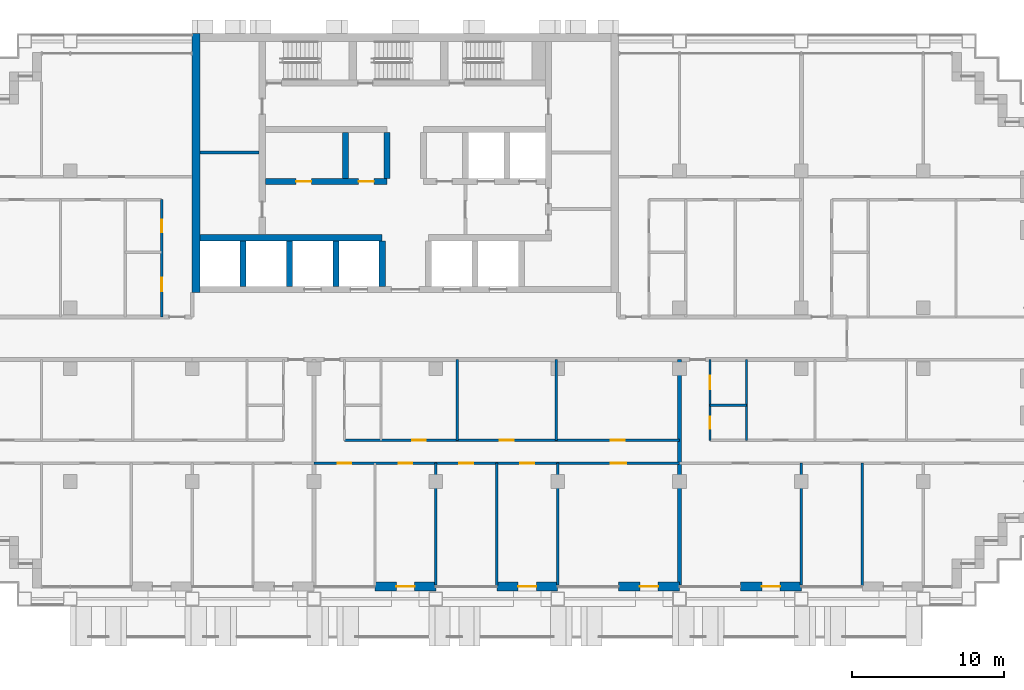
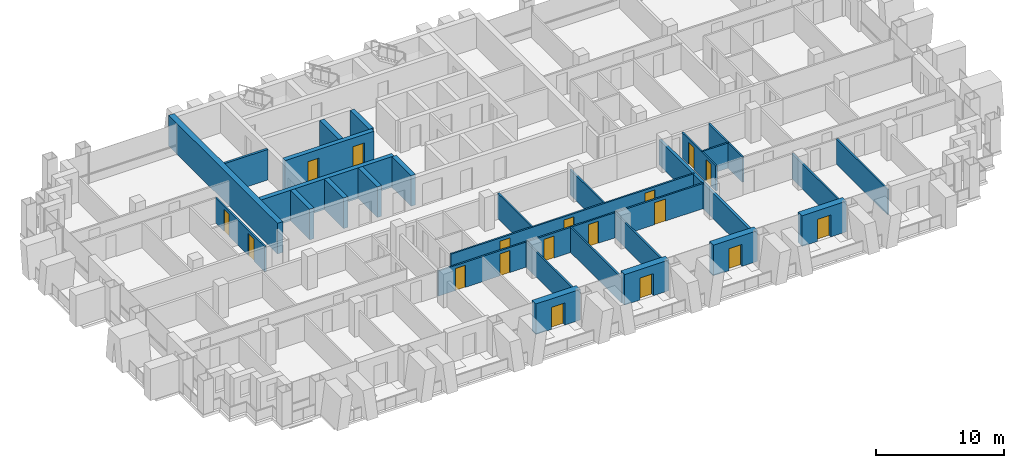
# One storey, part 10 of 19: 28 walls, 18 doors, 18 openings.
"""IFC4 building model written with IfcOpenShell, lengths in metres."""

from ifc_helpers import new_model, si_unit, direction, frame, frame_2d, origin, place, context, subcontext, project, spatial, rectangle, extrude, material, layer, layer_set, type_object, element, fill, save


model = new_model("IFC4")

# Units and contexts
model_context = context("Model", 3, precision=1e-05, world=origin(), true_north=direction((0.0, 1.0)))
body_context = subcontext(model_context, "Body", "Model", "MODEL_VIEW")
ifc_project = project(units=[si_unit("LENGTHUNIT", "METRE"), si_unit("AREAUNIT", "SQUARE_METRE"), si_unit("VOLUMEUNIT", "CUBIC_METRE"), si_unit("PLANEANGLEUNIT", "RADIAN"), si_unit("MASSUNIT", "GRAM", prefix="KILO")], contexts=[model_context])

# Site, building, storey
site_placement = place(None, origin())
site = spatial("IfcSite", under=ifc_project, at=site_placement, CompositionType="ELEMENT")
building_placement = place(site_placement, origin())
building = spatial("IfcBuilding", under=site, at=building_placement, Name="Vidyagriha Tower", CompositionType="ELEMENT")
storey_placement = place(building_placement, frame((0.0, 0.0, 99.89990234375)))
storey = spatial("IfcBuildingStorey", under=building, at=storey_placement, Name="L26", CompositionType="ELEMENT", Elevation=99.89990234375)

# Wall, opening, door
ifc_material_1 = material(Name="Precast concrete C40/50 with brick facing", Category="concrete")
ifc_layer_1 = layer(ifc_material_1, 0.60009765625)
ifc_layer_set_1 = layer_set([ifc_layer_1], Name="Precast concrete C40/50 with brick facing")
wall_type_1 = type_object("IfcWallType", Name="Brick-faced precast wall 600", PredefinedType="STANDARD", material=ifc_layer_set_1)
wall_1_placement = place(storey_placement, frame((-2.0, -16.300048828125, 0.0)))
wall_1 = element("IfcWall", 1, at=wall_1_placement, inside=storey, type_object=wall_type_1, Name="Brick door bay wall L26 R23.7", PredefinedType="STANDARD", context=body_context, shape_type="SweptSolid", body=[
    extrude(rectangle(XDim=4.0, YDim=0.60009765625, at=frame_2d((2.0, 0.0))), origin(), (0.0, 0.0, 1.0), 2.920166015625),
])
opening_1_placement = place(wall_1_placement, frame((1.39990234375, 0.0, 0.0)))
opening_1 = element("IfcOpeningElement", 2, at=opening_1_placement, cuts=wall_1, Name="Opening D26-72", PredefinedType="OPENING", context=body_context, shape_type="SweptSolid", body=[
    extrude(rectangle(XDim=1.199951171875, YDim=2.10009765625, at=frame_2d((0.60009765625, 1.050048828125))), frame((0.0, 0.31005859375, 0.0), z_axis=(0.0, -1.0, 0.0), x_axis=(1.0, 0.0, 0.0)), (0.0, 0.0, 1.0), 0.6201171875),
])
ifc_material_2 = material(Name="Aluminium framed glazed sliding door", Category="aluminium")
door_type_1 = type_object("IfcDoorType", Name="Balcony sliding door 1200x2100", OperationType="NOTDEFINED", PredefinedType="DOOR", material=ifc_material_2)
door_1_placement = place(opening_1_placement, origin())
door_1 = element("IfcDoor", 3, at=door_1_placement, inside=storey, type_object=door_type_1, Name="Door D26-72", OperationType="SLIDING_TO_LEFT", OverallHeight=2.10009765625, OverallWidth=1.199951171875, PredefinedType="DOOR", context=body_context, shape_type="SweptSolid", body=[
    extrude(rectangle(XDim=1.199951171875, YDim=2.10009765625, at=frame_2d((0.60009765625, 1.050048828125))), frame((0.0, 0.02490234375, 0.0), z_axis=(0.0, -1.0, 0.0), x_axis=(1.0, 0.0, 0.0)), (0.0, 0.0, 1.0), 0.050048828125),
])
fill(opening_1, door_1)

wall_2_placement = place(storey_placement, frame((6.0, -16.300048828125, 0.0)))
wall_2 = element("IfcWall", 4, at=wall_2_placement, inside=storey, type_object=wall_type_1, Name="Brick door bay wall L26 R23.9", PredefinedType="STANDARD", context=body_context, shape_type="SweptSolid", body=[
    extrude(rectangle(XDim=4.0, YDim=0.60009765625, at=frame_2d((2.0, 0.0))), origin(), (0.0, 0.0, 1.0), 2.920166015625),
])
opening_2_placement = place(wall_2_placement, frame((1.39990234375, 0.0, 0.0)))
opening_2 = element("IfcOpeningElement", 5, at=opening_2_placement, cuts=wall_2, Name="Opening D26-73", PredefinedType="OPENING", context=body_context, shape_type="SweptSolid", body=[
    extrude(rectangle(XDim=1.199951171875, YDim=2.10009765625, at=frame_2d((0.60009765625, 1.050048828125))), frame((0.0, 0.31005859375, 0.0), z_axis=(0.0, -1.0, 0.0), x_axis=(1.0, 0.0, 0.0)), (0.0, 0.0, 1.0), 0.6201171875),
])
door_2_placement = place(opening_2_placement, origin())
door_2 = element("IfcDoor", 6, at=door_2_placement, inside=storey, type_object=door_type_1, Name="Door D26-73", OperationType="SLIDING_TO_LEFT", OverallHeight=2.10009765625, OverallWidth=1.199951171875, PredefinedType="DOOR", context=body_context, shape_type="SweptSolid", body=[
    extrude(rectangle(XDim=1.199951171875, YDim=2.10009765625, at=frame_2d((0.60009765625, 1.050048828125))), frame((0.0, 0.02490234375, 0.0), z_axis=(0.0, -1.0, 0.0), x_axis=(1.0, 0.0, 0.0)), (0.0, 0.0, 1.0), 0.050048828125),
])
fill(opening_2, door_2)

wall_3_placement = place(storey_placement, frame((14.0, -16.300048828125, 0.0)))
wall_3 = element("IfcWall", 7, at=wall_3_placement, inside=storey, type_object=wall_type_1, Name="Brick door bay wall L26 R23.11", PredefinedType="STANDARD", context=body_context, shape_type="SweptSolid", body=[
    extrude(rectangle(XDim=4.0, YDim=0.60009765625, at=frame_2d((2.0, 0.0))), origin(), (0.0, 0.0, 1.0), 2.920166015625),
])
opening_3_placement = place(wall_3_placement, frame((1.39990234375, 0.0, 0.0)))
opening_3 = element("IfcOpeningElement", 8, at=opening_3_placement, cuts=wall_3, Name="Opening D26-74", PredefinedType="OPENING", context=body_context, shape_type="SweptSolid", body=[
    extrude(rectangle(XDim=1.199951171875, YDim=2.10009765625, at=frame_2d((0.60009765625, 1.050048828125))), frame((0.0, 0.31005859375, 0.0), z_axis=(0.0, -1.0, 0.0), x_axis=(1.0, 0.0, 0.0)), (0.0, 0.0, 1.0), 0.6201171875),
])
door_3_placement = place(opening_3_placement, origin())
door_3 = element("IfcDoor", 9, at=door_3_placement, inside=storey, type_object=door_type_1, Name="Door D26-74", OperationType="SLIDING_TO_LEFT", OverallHeight=2.10009765625, OverallWidth=1.199951171875, PredefinedType="DOOR", context=body_context, shape_type="SweptSolid", body=[
    extrude(rectangle(XDim=1.199951171875, YDim=2.10009765625, at=frame_2d((0.60009765625, 1.050048828125))), frame((0.0, 0.02490234375, 0.0), z_axis=(0.0, -1.0, 0.0), x_axis=(1.0, 0.0, 0.0)), (0.0, 0.0, 1.0), 0.050048828125),
])
fill(opening_3, door_3)

wall_4_placement = place(storey_placement, frame((22.0, -16.300048828125, 0.0)))
wall_4 = element("IfcWall", 10, at=wall_4_placement, inside=storey, type_object=wall_type_1, Name="Brick door bay wall L26 R23.13", PredefinedType="STANDARD", context=body_context, shape_type="SweptSolid", body=[
    extrude(rectangle(XDim=4.0, YDim=0.60009765625, at=frame_2d((2.0, 0.0))), origin(), (0.0, 0.0, 1.0), 2.920166015625),
])
opening_4_placement = place(wall_4_placement, frame((1.39990234375, 0.0, 0.0)))
opening_4 = element("IfcOpeningElement", 11, at=opening_4_placement, cuts=wall_4, Name="Opening D26-75", PredefinedType="OPENING", context=body_context, shape_type="SweptSolid", body=[
    extrude(rectangle(XDim=1.199951171875, YDim=2.10009765625, at=frame_2d((0.60009765625, 1.050048828125))), frame((0.0, 0.31005859375, 0.0), z_axis=(0.0, -1.0, 0.0), x_axis=(1.0, 0.0, 0.0)), (0.0, 0.0, 1.0), 0.6201171875),
])
door_4_placement = place(opening_4_placement, origin())
door_4 = element("IfcDoor", 12, at=door_4_placement, inside=storey, type_object=door_type_1, Name="Door D26-75", OperationType="SLIDING_TO_LEFT", OverallHeight=2.10009765625, OverallWidth=1.199951171875, PredefinedType="DOOR", context=body_context, shape_type="SweptSolid", body=[
    extrude(rectangle(XDim=1.199951171875, YDim=2.10009765625, at=frame_2d((0.60009765625, 1.050048828125))), frame((0.0, 0.02490234375, 0.0), z_axis=(0.0, -1.0, 0.0), x_axis=(1.0, 0.0, 0.0)), (0.0, 0.0, 1.0), 0.050048828125),
])
fill(opening_4, door_4)

# Walls
ifc_material_3 = material(Name="Concrete C60/75", Category="concrete")
ifc_layer_2 = layer(ifc_material_3, 0.39990234375)
ifc_layer_set_2 = layer_set([ifc_layer_2], Name="Concrete C60/75")
wall_type_2 = type_object("IfcWallType", Name="Core shear wall 400 mm", PredefinedType="SHEAR", material=ifc_layer_set_2)
wall_5_placement = place(storey_placement, frame((-13.5, 6.60009765625, 0.0)))
element("IfcWall", 13, at=wall_5_placement, inside=storey, type_object=wall_type_2, Name="Core lobby south wall west", PredefinedType="SHEAR", context=body_context, shape_type="SweptSolid", body=[
    extrude(rectangle(XDim=11.977783203125, YDim=0.39990234375, at=frame_2d((5.98876953125, 0.0))), origin(), (0.0, 0.0, 1.0), 2.920166015625),
])
for number, where, z_axis, x_axis, name in (
    (14, (-10.655517578125, 3.39990234375, 0.0), (0.0, 0.0, 1.0), (0.0, 1.0, 0.0), "Core bay wall S1"),
    (15, (-7.611083984375, 3.39990234375, 0.0), (0.0, 0.0, 1.0), (0.0, 1.0, 0.0), "Core bay wall S2"),
    (16, (-4.566650390625, 3.39990234375, 0.0), (0.0, 0.0, 1.0), (0.0, 1.0, 0.0), "Core bay wall S3"),
    (17, (-1.522216796875, 3.39990234375, 0.0), (0.0, 0.0, 1.0), (0.0, 1.0, 0.0), "Core bay wall S4"),
):
    element("IfcWall", number, at=place(storey_placement, frame(where, z_axis=z_axis, x_axis=x_axis)), inside=storey, type_object=wall_type_2, Name=name, PredefinedType="SHEAR", context=body_context, shape_type="SweptSolid", body=[
        extrude(rectangle(XDim=3.0, YDim=0.39990234375, at=frame_2d((1.5, 0.0))), origin(), (0.0, 0.0, 1.0), 2.920166015625),
    ])

# Wall, openings, doors
wall_6_placement = place(storey_placement, frame((-9.199951171875, 10.300048828125, 0.0)))
wall_6 = element("IfcWall", 18, at=wall_6_placement, inside=storey, type_object=wall_type_2, Name="Core row N front wall", PredefinedType="SHEAR", context=body_context, shape_type="SweptSolid", body=[
    extrude(rectangle(XDim=8.0, YDim=0.39990234375, at=frame_2d((4.0, 0.0))), origin(), (0.0, 0.0, 1.0), 2.920166015625),
])
opening_5_placement = place(wall_6_placement, frame((2.033203125, 0.0, 0.0)))
opening_5 = element("IfcOpeningElement", 19, at=opening_5_placement, cuts=wall_6, Name="Opening D26-02", PredefinedType="OPENING", context=body_context, shape_type="SweptSolid", body=[
    extrude(rectangle(XDim=1.0, YDim=2.10009765625, at=frame_2d((0.5, 1.050048828125))), frame((0.0, 0.2099609375, 0.0), z_axis=(0.0, -1.0, 0.0), x_axis=(1.0, 0.0, 0.0)), (0.0, 0.0, 1.0), 0.419921875),
])
opening_6_placement = place(wall_6_placement, frame((6.13330078125, 0.0, 0.0)))
opening_6 = element("IfcOpeningElement", 20, at=opening_6_placement, cuts=wall_6, Name="Opening D26-03", PredefinedType="OPENING", context=body_context, shape_type="SweptSolid", body=[
    extrude(rectangle(XDim=1.0, YDim=2.10009765625, at=frame_2d((0.5, 1.050048828125))), frame((0.0, 0.2099609375, 0.0), z_axis=(0.0, -1.0, 0.0), x_axis=(1.0, 0.0, 0.0)), (0.0, 0.0, 1.0), 0.419921875),
])
ifc_material_4 = material(Name="Hollow metal door leaf")
door_type_2 = type_object("IfcDoorType", Name="Core room door 1000 x 2100 mm EI 60", OperationType="NOTDEFINED", PredefinedType="DOOR", material=ifc_material_4)
door_5_placement = place(opening_5_placement, frame((1.0, 0.0, 0.0), z_axis=(0.0, 0.0, 1.0), x_axis=(-1.0, 0.0, 0.0)))
door_5 = element("IfcDoor", 21, at=door_5_placement, inside=storey, type_object=door_type_2, Name="Door Switchgear Room 26.14", OperationType="SINGLE_SWING_RIGHT", OverallHeight=2.10009765625, OverallWidth=1.0, PredefinedType="DOOR", context=body_context, shape_type="SweptSolid", body=[
    extrude(rectangle(XDim=1.0, YDim=2.10009765625, at=frame_2d((0.5, 1.050048828125))), frame((0.0, 0.02490234375, 0.0), z_axis=(0.0, -1.0, 0.0), x_axis=(1.0, 0.0, 0.0)), (0.0, 0.0, 1.0), 0.050048828125),
])
fill(opening_5, door_5)
door_6_placement = place(opening_6_placement, frame((1.0, 0.0, 0.0), z_axis=(0.0, 0.0, 1.0), x_axis=(-1.0, 0.0, 0.0)))
door_6 = element("IfcDoor", 22, at=door_6_placement, inside=storey, type_object=door_type_2, Name="Door Electrical Room 26.15", OperationType="SINGLE_SWING_LEFT", OverallHeight=2.10009765625, OverallWidth=1.0, PredefinedType="DOOR", context=body_context, shape_type="SweptSolid", body=[
    extrude(rectangle(XDim=1.0, YDim=2.10009765625, at=frame_2d((0.5, 1.050048828125))), frame((0.0, 0.02490234375, 0.0), z_axis=(0.0, -1.0, 0.0), x_axis=(1.0, 0.0, 0.0)), (0.0, 0.0, 1.0), 0.050048828125),
])
fill(opening_6, door_6)

# Walls
for number, where, z_axis, x_axis, name in (
    (23, (-3.933349609375, 10.5, 0.0), (0.0, 0.0, 1.0), (0.0, 1.0, 0.0), "Core bay wall N2"),
    (24, (-1.199951171875, 10.5, 0.0), (0.0, 0.0, 1.0), (0.0, 1.0, 0.0), "Core bay wall N3"),
):
    element("IfcWall", number, at=place(storey_placement, frame(where, z_axis=z_axis, x_axis=x_axis)), inside=storey, type_object=wall_type_2, Name=name, PredefinedType="SHEAR", context=body_context, shape_type="SweptSolid", body=[
        extrude(rectangle(XDim=3.0, YDim=0.39990234375, at=frame_2d((1.5, 0.0))), origin(), (0.0, 0.0, 1.0), 2.920166015625),
    ])
ifc_material_5 = material(Name="Concrete C60/75", Category="concrete")
ifc_layer_3 = layer(ifc_material_5, 0.5)
ifc_layer_set_3 = layer_set([ifc_layer_3], Name="Concrete C60/75")
wall_type_3 = type_object("IfcWallType", Name="Core shear wall 500 mm", PredefinedType="SHEAR", material=ifc_layer_set_3)
wall_7_placement = place(storey_placement, frame((-13.75, 3.0, 0.0), z_axis=(0.0, 0.0, 1.0), x_axis=(0.0, 1.0, 0.0)))
element("IfcWall", 25, at=wall_7_placement, inside=storey, type_object=wall_type_3, Name="Core west wall", PredefinedType="SHEAR", context=body_context, shape_type="SweptSolid", body=[
    extrude(rectangle(XDim=17.0, YDim=0.5, at=frame_2d((8.5, 0.0))), origin(), (0.0, 0.0, 1.0), 2.920166015625),
])
ifc_material_6 = material(Name="Fired clay brick masonry", Category="masonry")
ifc_layer_4 = layer(ifc_material_6, 0.25)
ifc_layer_set_4 = layer_set([ifc_layer_4], Name="Fired clay brick masonry")
wall_type_4 = type_object("IfcWallType", Name="Fired clay brick demising wall 250", PredefinedType="PARTITIONING", material=ifc_layer_set_4)
wall_8_placement = place(storey_placement, frame((18.0, -1.39990234375, 0.0), z_axis=(0.0, 0.0, 1.0), x_axis=(0.0, -1.0, 0.0)))
element("IfcWall", 26, at=wall_8_placement, inside=storey, type_object=wall_type_4, Name="Wall all-L26-w066", PredefinedType="PARTITIONING", context=body_context, shape_type="SweptSolid", body=[
    extrude(rectangle(XDim=14.81005859375, YDim=0.25, at=frame_2d((7.405029296875, 0.0))), origin(), (0.0, 0.0, 1.0), 2.400146484375),
])
ifc_material_7 = material(Name="Gypsum board partition")
ifc_layer_5 = layer(ifc_material_7, 0.14990234375)
ifc_layer_set_5 = layer_set([ifc_layer_5], Name="Gypsum board partition")
wall_type_5 = type_object("IfcWallType", Name="Gypsum board partition 150", PredefinedType="PARTITIONING", material=ifc_layer_set_5)
for number, where, z_axis, x_axis, name in (
    (27, (3.39990234375, -1.39990234375, 0.0), (0.0, 0.0, 1.0), (0.0, -1.0, 0.0), "Wall all-L26-w028"),
    (28, (9.89990234375, -1.39990234375, 0.0), (0.0, 0.0, 1.0), (0.0, -1.0, 0.0), "Wall all-L26-w029"),
):
    element("IfcWall", number, at=place(storey_placement, frame(where, z_axis=z_axis, x_axis=x_axis)), inside=storey, type_object=wall_type_5, Name=name, PredefinedType="PARTITIONING", context=body_context, shape_type="SweptSolid", body=[
        extrude(rectangle(XDim=5.300048828125, YDim=0.14990234375, at=frame_2d((2.64990234375, 0.0))), origin(), (0.0, 0.0, 1.0), 2.400146484375),
    ])

# Wall, openings, doors
wall_9_placement = place(storey_placement, frame((-4.0, -6.699951171875, 0.0)))
wall_9 = element("IfcWall", 29, at=wall_9_placement, inside=storey, type_object=wall_type_5, Name="Wall all-L26-w030", PredefinedType="PARTITIONING", context=body_context, shape_type="SweptSolid", body=[
    extrude(rectangle(XDim=22.0, YDim=0.14990234375, at=frame_2d((11.0, 0.0))), origin(), (0.0, 0.0, 1.0), 2.400146484375),
])
opening_7_placement = place(wall_9_placement, frame((4.449951171875, 0.0, 0.0)))
opening_7 = element("IfcOpeningElement", 30, at=opening_7_placement, cuts=wall_9, Name="Opening D26-27", PredefinedType="OPENING", context=body_context, shape_type="SweptSolid", body=[
    extrude(rectangle(XDim=0.89990234375, YDim=2.10009765625, at=frame_2d((0.449951171875, 1.050048828125))), frame((0.0, 0.0849609375, 0.0), z_axis=(0.0, -1.0, 0.0), x_axis=(1.0, 0.0, 0.0)), (0.0, 0.0, 1.0), 0.169921875),
])
opening_8_placement = place(wall_9_placement, frame((10.199951171875, 0.0, 0.0)))
opening_8 = element("IfcOpeningElement", 31, at=opening_8_placement, cuts=wall_9, Name="Opening D26-28", PredefinedType="OPENING", context=body_context, shape_type="SweptSolid", body=[
    extrude(rectangle(XDim=0.89990234375, YDim=2.10009765625, at=frame_2d((0.449951171875, 1.050048828125))), frame((0.0, 0.0849609375, 0.0), z_axis=(0.0, -1.0, 0.0), x_axis=(1.0, 0.0, 0.0)), (0.0, 0.0, 1.0), 0.169921875),
])
opening_9_placement = place(wall_9_placement, frame((17.5, 0.0, 0.0)))
opening_9 = element("IfcOpeningElement", 32, at=opening_9_placement, cuts=wall_9, Name="Opening D26-29", PredefinedType="OPENING", context=body_context, shape_type="SweptSolid", body=[
    extrude(rectangle(XDim=0.89990234375, YDim=2.10009765625, at=frame_2d((0.449951171875, 1.050048828125))), frame((0.0, 0.0849609375, 0.0), z_axis=(0.0, -1.0, 0.0), x_axis=(1.0, 0.0, 0.0)), (0.0, 0.0, 1.0), 0.169921875),
])
ifc_material_8 = material(Name="Timber door leaf", Category="wood")
door_type_3 = type_object("IfcDoorType", Name="Room door 900x2100", OperationType="NOTDEFINED", PredefinedType="DOOR", material=ifc_material_8)
door_7_placement = place(opening_7_placement, origin())
door_7 = element("IfcDoor", 33, at=door_7_placement, inside=storey, type_object=door_type_3, Name="Door D26-27", OperationType="SINGLE_SWING_RIGHT", OverallHeight=2.10009765625, OverallWidth=0.89990234375, PredefinedType="DOOR", context=body_context, shape_type="SweptSolid", body=[
    extrude(rectangle(XDim=0.89990234375, YDim=2.10009765625, at=frame_2d((0.449951171875, 1.050048828125))), frame((0.0, 0.02490234375, 0.0), z_axis=(0.0, -1.0, 0.0), x_axis=(1.0, 0.0, 0.0)), (0.0, 0.0, 1.0), 0.050048828125),
])
fill(opening_7, door_7)
door_8_placement = place(opening_8_placement, origin())
door_8 = element("IfcDoor", 34, at=door_8_placement, inside=storey, type_object=door_type_3, Name="Door D26-28", OperationType="SINGLE_SWING_RIGHT", OverallHeight=2.10009765625, OverallWidth=0.89990234375, PredefinedType="DOOR", context=body_context, shape_type="SweptSolid", body=[
    extrude(rectangle(XDim=0.89990234375, YDim=2.10009765625, at=frame_2d((0.449951171875, 1.050048828125))), frame((0.0, 0.02490234375, 0.0), z_axis=(0.0, -1.0, 0.0), x_axis=(1.0, 0.0, 0.0)), (0.0, 0.0, 1.0), 0.050048828125),
])
fill(opening_8, door_8)
door_9_placement = place(opening_9_placement, origin())
door_9 = element("IfcDoor", 35, at=door_9_placement, inside=storey, type_object=door_type_3, Name="Door D26-29", OperationType="SINGLE_SWING_LEFT", OverallHeight=2.10009765625, OverallWidth=0.89990234375, PredefinedType="DOOR", context=body_context, shape_type="SweptSolid", body=[
    extrude(rectangle(XDim=0.89990234375, YDim=2.10009765625, at=frame_2d((0.449951171875, 1.050048828125))), frame((0.0, 0.02490234375, 0.0), z_axis=(0.0, -1.0, 0.0), x_axis=(1.0, 0.0, 0.0)), (0.0, 0.0, 1.0), 0.050048828125),
])
fill(opening_9, door_9)

wall_10_placement = place(storey_placement, frame((18.0, -8.199951171875, 0.0), z_axis=(0.0, 0.0, 1.0), x_axis=(-1.0, 0.0, 0.0)))
wall_10 = element("IfcWall", 36, at=wall_10_placement, inside=storey, type_object=wall_type_5, Name="Wall all-L26-w034", PredefinedType="PARTITIONING", context=body_context, shape_type="SweptSolid", body=[
    extrude(rectangle(XDim=24.0, YDim=0.14990234375, at=frame_2d((12.0, 0.0))), origin(), (0.0, 0.0, 1.0), 2.400146484375),
])
opening_10_placement = place(wall_10_placement, frame((21.550048828125, 0.0, 0.0)))
opening_10 = element("IfcOpeningElement", 37, at=opening_10_placement, cuts=wall_10, Name="Opening D26-30", PredefinedType="OPENING", context=body_context, shape_type="SweptSolid", body=[
    extrude(rectangle(XDim=0.89990234375, YDim=2.10009765625, at=frame_2d((0.449951171875, 1.050048828125))), frame((0.0, 0.0849609375, 0.0), z_axis=(0.0, -1.0, 0.0), x_axis=(1.0, 0.0, 0.0)), (0.0, 0.0, 1.0), 0.169921875),
])
opening_11_placement = place(wall_10_placement, frame((17.550048828125, 0.0, 0.0)))
opening_11 = element("IfcOpeningElement", 38, at=opening_11_placement, cuts=wall_10, Name="Opening D26-31", PredefinedType="OPENING", context=body_context, shape_type="SweptSolid", body=[
    extrude(rectangle(XDim=0.89990234375, YDim=2.10009765625, at=frame_2d((0.449951171875, 1.050048828125))), frame((0.0, 0.0849609375, 0.0), z_axis=(0.0, -1.0, 0.0), x_axis=(1.0, 0.0, 0.0)), (0.0, 0.0, 1.0), 0.169921875),
])
opening_12_placement = place(wall_10_placement, frame((13.550048828125, 0.0, 0.0)))
opening_12 = element("IfcOpeningElement", 39, at=opening_12_placement, cuts=wall_10, Name="Opening D26-32", PredefinedType="OPENING", context=body_context, shape_type="SweptSolid", body=[
    extrude(rectangle(XDim=0.89990234375, YDim=2.10009765625, at=frame_2d((0.449951171875, 1.050048828125))), frame((0.0, 0.0849609375, 0.0), z_axis=(0.0, -1.0, 0.0), x_axis=(1.0, 0.0, 0.0)), (0.0, 0.0, 1.0), 0.169921875),
])
opening_13_placement = place(wall_10_placement, frame((9.550048828125, 0.0, 0.0)))
opening_13 = element("IfcOpeningElement", 40, at=opening_13_placement, cuts=wall_10, Name="Opening D26-33", PredefinedType="OPENING", context=body_context, shape_type="SweptSolid", body=[
    extrude(rectangle(XDim=0.89990234375, YDim=2.10009765625, at=frame_2d((0.449951171875, 1.050048828125))), frame((0.0, 0.0849609375, 0.0), z_axis=(0.0, -1.0, 0.0), x_axis=(1.0, 0.0, 0.0)), (0.0, 0.0, 1.0), 0.169921875),
])
opening_14_placement = place(wall_10_placement, frame((3.5, 0.0, 0.0)))
opening_14 = element("IfcOpeningElement", 41, at=opening_14_placement, cuts=wall_10, Name="Opening D26-34", PredefinedType="OPENING", context=body_context, shape_type="SweptSolid", body=[
    extrude(rectangle(XDim=1.0, YDim=2.10009765625, at=frame_2d((0.5, 1.050048828125))), frame((0.0, 0.0849609375, 0.0), z_axis=(0.0, -1.0, 0.0), x_axis=(1.0, 0.0, 0.0)), (0.0, 0.0, 1.0), 0.169921875),
])
ifc_material_9 = material(Name="Timber door leaf", Category="wood")
door_type_4 = type_object("IfcDoorType", Name="Room door 1000x2100", OperationType="NOTDEFINED", PredefinedType="DOOR", material=ifc_material_9)
door_10_placement = place(opening_14_placement, origin())
door_10 = element("IfcDoor", 42, at=door_10_placement, inside=storey, type_object=door_type_4, Name="Door D26-34", OperationType="SINGLE_SWING_RIGHT", OverallHeight=2.10009765625, OverallWidth=1.0, PredefinedType="DOOR", context=body_context, shape_type="SweptSolid", body=[
    extrude(rectangle(XDim=1.0, YDim=2.10009765625, at=frame_2d((0.5, 1.050048828125))), frame((0.0, 0.02490234375, 0.0), z_axis=(0.0, -1.0, 0.0), x_axis=(1.0, 0.0, 0.0)), (0.0, 0.0, 1.0), 0.050048828125),
])
fill(opening_14, door_10)
door_11_placement = place(opening_10_placement, origin())
door_11 = element("IfcDoor", 43, at=door_11_placement, inside=storey, type_object=door_type_3, Name="Door D26-30", OperationType="SINGLE_SWING_RIGHT", OverallHeight=2.10009765625, OverallWidth=0.89990234375, PredefinedType="DOOR", context=body_context, shape_type="SweptSolid", body=[
    extrude(rectangle(XDim=0.89990234375, YDim=2.10009765625, at=frame_2d((0.449951171875, 1.050048828125))), frame((0.0, 0.02490234375, 0.0), z_axis=(0.0, -1.0, 0.0), x_axis=(1.0, 0.0, 0.0)), (0.0, 0.0, 1.0), 0.050048828125),
])
fill(opening_10, door_11)
door_12_placement = place(opening_11_placement, origin())
door_12 = element("IfcDoor", 44, at=door_12_placement, inside=storey, type_object=door_type_3, Name="Door D26-31", OperationType="SINGLE_SWING_RIGHT", OverallHeight=2.10009765625, OverallWidth=0.89990234375, PredefinedType="DOOR", context=body_context, shape_type="SweptSolid", body=[
    extrude(rectangle(XDim=0.89990234375, YDim=2.10009765625, at=frame_2d((0.449951171875, 1.050048828125))), frame((0.0, 0.02490234375, 0.0), z_axis=(0.0, -1.0, 0.0), x_axis=(1.0, 0.0, 0.0)), (0.0, 0.0, 1.0), 0.050048828125),
])
fill(opening_11, door_12)
door_13_placement = place(opening_12_placement, origin())
door_13 = element("IfcDoor", 45, at=door_13_placement, inside=storey, type_object=door_type_3, Name="Door D26-32", OperationType="SINGLE_SWING_RIGHT", OverallHeight=2.10009765625, OverallWidth=0.89990234375, PredefinedType="DOOR", context=body_context, shape_type="SweptSolid", body=[
    extrude(rectangle(XDim=0.89990234375, YDim=2.10009765625, at=frame_2d((0.449951171875, 1.050048828125))), frame((0.0, 0.02490234375, 0.0), z_axis=(0.0, -1.0, 0.0), x_axis=(1.0, 0.0, 0.0)), (0.0, 0.0, 1.0), 0.050048828125),
])
fill(opening_12, door_13)
door_14_placement = place(opening_13_placement, origin())
door_14 = element("IfcDoor", 46, at=door_14_placement, inside=storey, type_object=door_type_3, Name="Door D26-33", OperationType="SINGLE_SWING_RIGHT", OverallHeight=2.10009765625, OverallWidth=0.89990234375, PredefinedType="DOOR", context=body_context, shape_type="SweptSolid", body=[
    extrude(rectangle(XDim=0.89990234375, YDim=2.10009765625, at=frame_2d((0.449951171875, 1.050048828125))), frame((0.0, 0.02490234375, 0.0), z_axis=(0.0, -1.0, 0.0), x_axis=(1.0, 0.0, 0.0)), (0.0, 0.0, 1.0), 0.050048828125),
])
fill(opening_13, door_14)

# Walls
wall_11_placement = place(storey_placement, frame((2.0, -8.199951171875, 0.0), z_axis=(0.0, 0.0, 1.0), x_axis=(0.0, -1.0, 0.0)))
element("IfcWall", 47, at=wall_11_placement, inside=storey, type_object=wall_type_5, Name="Wall all-L26-w041", PredefinedType="PARTITIONING", context=body_context, shape_type="SweptSolid", body=[
    extrude(rectangle(XDim=8.010009765625, YDim=0.14990234375, at=frame_2d((4.0048828125, 0.0))), origin(), (0.0, 0.0, 1.0), 2.400146484375),
])
wall_12_placement = place(storey_placement, frame((6.0, -8.199951171875, 0.0), z_axis=(0.0, 0.0, 1.0), x_axis=(0.0, -1.0, 0.0)))
element("IfcWall", 48, at=wall_12_placement, inside=storey, type_object=wall_type_5, Name="Wall all-L26-w042", PredefinedType="PARTITIONING", context=body_context, shape_type="SweptSolid", body=[
    extrude(rectangle(XDim=8.02099609375, YDim=0.14990234375, at=frame_2d((4.010498046875, 0.0))), origin(), (0.0, 0.0, 1.0), 2.400146484375),
])
wall_13_placement = place(storey_placement, frame((10.0, -8.199951171875, 0.0), z_axis=(0.0, 0.0, 1.0), x_axis=(0.0, -1.0, 0.0)))
element("IfcWall", 49, at=wall_13_placement, inside=storey, type_object=wall_type_5, Name="Wall all-L26-w043", PredefinedType="PARTITIONING", context=body_context, shape_type="SweptSolid", body=[
    extrude(rectangle(XDim=8.010009765625, YDim=0.14990234375, at=frame_2d((4.0048828125, 0.0))), origin(), (0.0, 0.0, 1.0), 2.400146484375),
])
wall_14_placement = place(storey_placement, frame((22.39990234375, -4.39990234375, 0.0), z_axis=(0.0, 0.0, 1.0), x_axis=(-1.0, 0.0, 0.0)))
element("IfcWall", 50, at=wall_14_placement, inside=storey, type_object=wall_type_5, Name="Wall all-L26-w049", PredefinedType="PARTITIONING", context=body_context, shape_type="SweptSolid", body=[
    extrude(rectangle(XDim=2.39990234375, YDim=0.14990234375, at=frame_2d((1.199951171875, 0.0))), origin(), (0.0, 0.0, 1.0), 2.400146484375),
])
wall_15_placement = place(storey_placement, frame((22.39990234375, -1.39990234375, 0.0), z_axis=(0.0, 0.0, 1.0), x_axis=(0.0, -1.0, 0.0)))
element("IfcWall", 51, at=wall_15_placement, inside=storey, type_object=wall_type_5, Name="Wall all-L26-w050", PredefinedType="PARTITIONING", context=body_context, shape_type="SweptSolid", body=[
    extrude(rectangle(XDim=5.300048828125, YDim=0.14990234375, at=frame_2d((2.64990234375, 0.0))), origin(), (0.0, 0.0, 1.0), 2.400146484375),
])
wall_16_placement = place(storey_placement, frame((26.0, -8.199951171875, 0.0), z_axis=(0.0, 0.0, 1.0), x_axis=(0.0, -1.0, 0.0)))
element("IfcWall", 52, at=wall_16_placement, inside=storey, type_object=wall_type_5, Name="Wall all-L26-w062", PredefinedType="PARTITIONING", context=body_context, shape_type="SweptSolid", body=[
    extrude(rectangle(XDim=8.010009765625, YDim=0.14990234375, at=frame_2d((4.0048828125, 0.0))), origin(), (0.0, 0.0, 1.0), 2.400146484375),
])
wall_17_placement = place(storey_placement, frame((30.0, -8.199951171875, 0.0), z_axis=(0.0, 0.0, 1.0), x_axis=(0.0, -1.0, 0.0)))
element("IfcWall", 53, at=wall_17_placement, inside=storey, type_object=wall_type_5, Name="Wall all-L26-w063", PredefinedType="PARTITIONING", context=body_context, shape_type="SweptSolid", body=[
    extrude(rectangle(XDim=8.02099609375, YDim=0.14990234375, at=frame_2d((4.010498046875, 0.0))), origin(), (0.0, 0.0, 1.0), 2.400146484375),
])

# Wall, openings, doors
ifc_material_10 = material(Name="Moisture resistant gypsum board partition")
ifc_layer_6 = layer(ifc_material_10, 0.14990234375)
ifc_layer_set_6 = layer_set([ifc_layer_6], Name="Moisture resistant gypsum board partition")
wall_type_6 = type_object("IfcWallType", Name="Gypsum board wet-area partition 150", PredefinedType="PARTITIONING", material=ifc_layer_set_6)
wall_18_placement = place(storey_placement, frame((20.0, -1.39990234375, 0.0), z_axis=(0.0, 0.0, 1.0), x_axis=(0.0, -1.0, 0.0)))
wall_18 = element("IfcWall", 54, at=wall_18_placement, inside=storey, type_object=wall_type_6, Name="Wall all-L26-w046", PredefinedType="PARTITIONING", context=body_context, shape_type="SweptSolid", body=[
    extrude(rectangle(XDim=5.300048828125, YDim=0.14990234375, at=frame_2d((2.64990234375, 0.0))), origin(), (0.0, 0.0, 1.0), 2.400146484375),
])
opening_15_placement = place(wall_18_placement, frame((1.050048828125, 0.0, 0.0)))
opening_15 = element("IfcOpeningElement", 55, at=opening_15_placement, cuts=wall_18, Name="Opening D26-36", PredefinedType="OPENING", context=body_context, shape_type="SweptSolid", body=[
    extrude(rectangle(XDim=0.89990234375, YDim=2.10009765625, at=frame_2d((0.449951171875, 1.050048828125))), frame((0.0, 0.0849609375, 0.0), z_axis=(0.0, -1.0, 0.0), x_axis=(1.0, 0.0, 0.0)), (0.0, 0.0, 1.0), 0.169921875),
])
opening_16_placement = place(wall_18_placement, frame((3.75, 0.0, 0.0)))
opening_16 = element("IfcOpeningElement", 56, at=opening_16_placement, cuts=wall_18, Name="Opening D26-37", PredefinedType="OPENING", context=body_context, shape_type="SweptSolid", body=[
    extrude(rectangle(XDim=0.800048828125, YDim=2.10009765625, at=frame_2d((0.39990234375, 1.050048828125))), frame((0.0, 0.0849609375, 0.0), z_axis=(0.0, -1.0, 0.0), x_axis=(1.0, 0.0, 0.0)), (0.0, 0.0, 1.0), 0.169921875),
])
ifc_material_11 = material(Name="Timber door leaf", Category="wood")
door_type_5 = type_object("IfcDoorType", Name="Bathroom door 800x2100", OperationType="NOTDEFINED", PredefinedType="DOOR", material=ifc_material_11)
door_15_placement = place(opening_16_placement, origin())
door_15 = element("IfcDoor", 57, at=door_15_placement, inside=storey, type_object=door_type_5, Name="Door D26-37", OperationType="SINGLE_SWING_RIGHT", OverallHeight=2.10009765625, OverallWidth=0.800048828125, PredefinedType="DOOR", context=body_context, shape_type="SweptSolid", body=[
    extrude(rectangle(XDim=0.800048828125, YDim=2.10009765625, at=frame_2d((0.39990234375, 1.050048828125))), frame((0.0, 0.02490234375, 0.0), z_axis=(0.0, -1.0, 0.0), x_axis=(1.0, 0.0, 0.0)), (0.0, 0.0, 1.0), 0.050048828125),
])
fill(opening_16, door_15)
ifc_material_12 = material(Name="Timber door leaf", Category="wood")
door_type_6 = type_object("IfcDoorType", Name="Kitchen door 900x2100", OperationType="NOTDEFINED", PredefinedType="DOOR", material=ifc_material_12)
door_16_placement = place(opening_15_placement, origin())
door_16 = element("IfcDoor", 58, at=door_16_placement, inside=storey, type_object=door_type_6, Name="Door D26-36", OperationType="SINGLE_SWING_LEFT", OverallHeight=2.10009765625, OverallWidth=0.89990234375, PredefinedType="DOOR", context=body_context, shape_type="SweptSolid", body=[
    extrude(rectangle(XDim=0.89990234375, YDim=2.10009765625, at=frame_2d((0.449951171875, 1.050048828125))), frame((0.0, 0.02490234375, 0.0), z_axis=(0.0, -1.0, 0.0), x_axis=(1.0, 0.0, 0.0)), (0.0, 0.0, 1.0), 0.050048828125),
])
fill(opening_15, door_16)

wall_19_placement = place(storey_placement, frame((-16.0, 1.39990234375, 0.0), z_axis=(0.0, 0.0, 1.0), x_axis=(0.0, 1.0, 0.0)))
wall_19 = element("IfcWall", 59, at=wall_19_placement, inside=storey, type_object=wall_type_6, Name="Wall all-L26-w070", PredefinedType="PARTITIONING", context=body_context, shape_type="SweptSolid", body=[
    extrude(rectangle(XDim=7.7001953125, YDim=0.14990234375, at=frame_2d((3.85009765625, 0.0))), origin(), (0.0, 0.0, 1.0), 2.400146484375),
])
opening_17_placement = place(wall_19_placement, frame((1.675048828125, 0.0, 0.0)))
opening_17 = element("IfcOpeningElement", 60, at=opening_17_placement, cuts=wall_19, Name="Opening D26-46", PredefinedType="OPENING", context=body_context, shape_type="SweptSolid", body=[
    extrude(rectangle(XDim=0.89990234375, YDim=2.10009765625, at=frame_2d((0.449951171875, 1.050048828125))), frame((0.0, 0.0849609375, 0.0), z_axis=(0.0, -1.0, 0.0), x_axis=(1.0, 0.0, 0.0)), (0.0, 0.0, 1.0), 0.169921875),
])
opening_18_placement = place(wall_19_placement, frame((5.574951171875, 0.0, 0.0)))
opening_18 = element("IfcOpeningElement", 61, at=opening_18_placement, cuts=wall_19, Name="Opening D26-47", PredefinedType="OPENING", context=body_context, shape_type="SweptSolid", body=[
    extrude(rectangle(XDim=0.800048828125, YDim=2.10009765625, at=frame_2d((0.39990234375, 1.050048828125))), frame((0.0, 0.0849609375, 0.0), z_axis=(0.0, -1.0, 0.0), x_axis=(1.0, 0.0, 0.0)), (0.0, 0.0, 1.0), 0.169921875),
])
door_17_placement = place(opening_18_placement, origin())
door_17 = element("IfcDoor", 62, at=door_17_placement, inside=storey, type_object=door_type_5, Name="Door D26-47", OperationType="SINGLE_SWING_RIGHT", OverallHeight=2.10009765625, OverallWidth=0.800048828125, PredefinedType="DOOR", context=body_context, shape_type="SweptSolid", body=[
    extrude(rectangle(XDim=0.800048828125, YDim=2.10009765625, at=frame_2d((0.39990234375, 1.050048828125))), frame((0.0, 0.02490234375, 0.0), z_axis=(0.0, -1.0, 0.0), x_axis=(1.0, 0.0, 0.0)), (0.0, 0.0, 1.0), 0.050048828125),
])
fill(opening_18, door_17)
door_18_placement = place(opening_17_placement, origin())
door_18 = element("IfcDoor", 63, at=door_18_placement, inside=storey, type_object=door_type_6, Name="Door D26-46", OperationType="SINGLE_SWING_LEFT", OverallHeight=2.10009765625, OverallWidth=0.89990234375, PredefinedType="DOOR", context=body_context, shape_type="SweptSolid", body=[
    extrude(rectangle(XDim=0.89990234375, YDim=2.10009765625, at=frame_2d((0.449951171875, 1.050048828125))), frame((0.0, 0.02490234375, 0.0), z_axis=(0.0, -1.0, 0.0), x_axis=(1.0, 0.0, 0.0)), (0.0, 0.0, 1.0), 0.050048828125),
])
fill(opening_17, door_18)

# Wall
ifc_material_13 = material(Name="Blockwork 15 MPa", Category="masonry")
ifc_layer_7 = layer(ifc_material_13, 0.199951171875)
ifc_layer_set_7 = layer_set([ifc_layer_7], Name="Blockwork 15 MPa")
wall_type_7 = type_object("IfcWallType", Name="Service room partition 200 mm", PredefinedType="PARTITIONING", material=ifc_layer_set_7)
wall_20_placement = place(storey_placement, frame((-13.5, 12.199951171875, 0.0)))
element("IfcWall", 64, at=wall_20_placement, inside=storey, type_object=wall_type_7, Name="Core room partition W1", PredefinedType="PARTITIONING", context=body_context, shape_type="SweptSolid", body=[
    extrude(rectangle(XDim=3.89990234375, YDim=0.199951171875, at=frame_2d((1.949951171875, 0.0))), origin(), (0.0, 0.0, 1.0), 2.920166015625),
])

save(model, "model.ifc")
